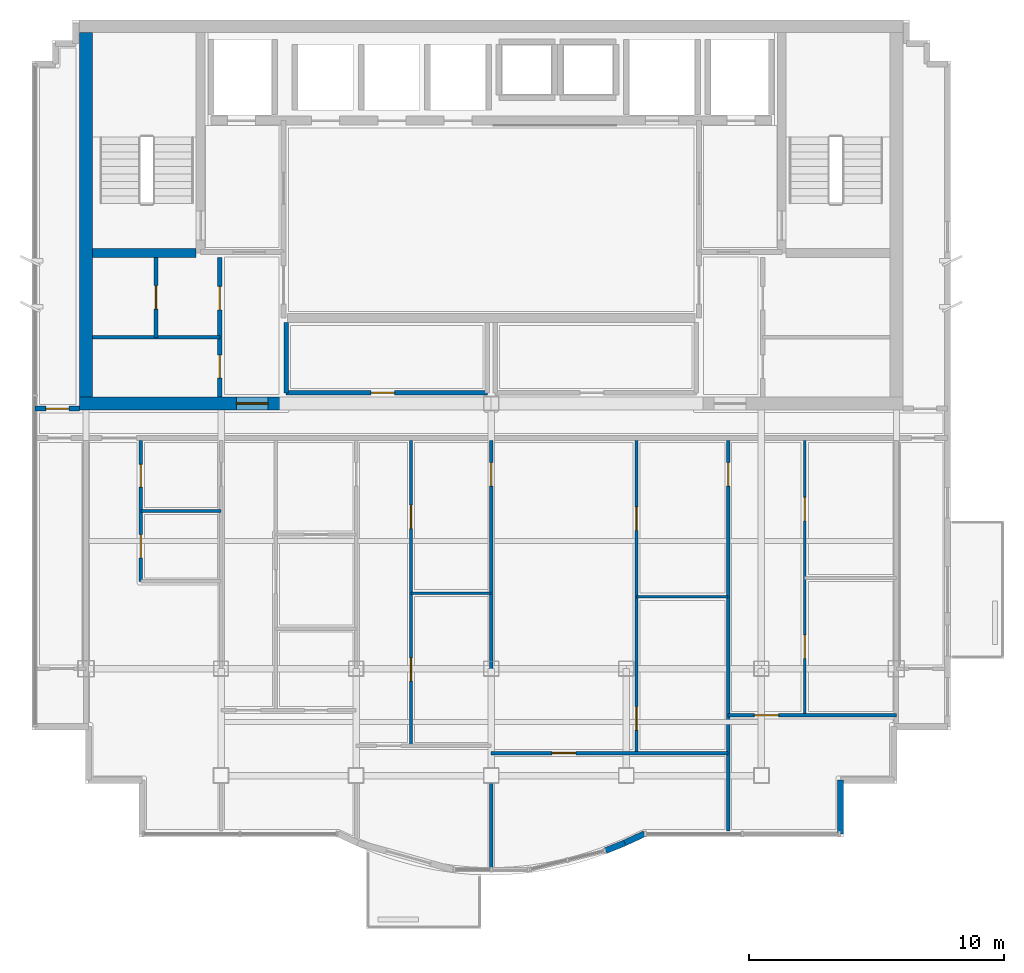
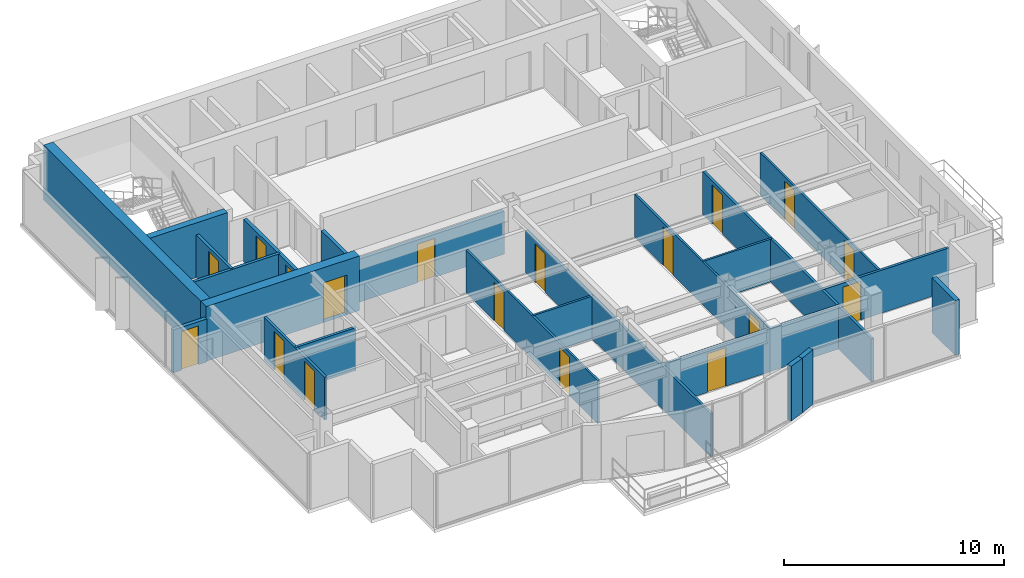
# One storey, part 6 of 11: 23 walls, 18 doors, 18 openings.
"""IFC4 building model written with IfcOpenShell, lengths in metres."""

from ifc_helpers import new_model, si_unit, direction, frame, frame_2d, origin, place, context, subcontext, project, spatial, rectangle, extrude, material, layer, layer_set, type_object, element, fill, save


model = new_model("IFC4")

# Units and contexts
model_context = context("Model", 3, precision=1e-05, world=origin(), true_north=direction((0.0, 1.0)))
body_context = subcontext(model_context, "Body", "Model", "MODEL_VIEW")
ifc_project = project(units=[si_unit("LENGTHUNIT", "METRE"), si_unit("AREAUNIT", "SQUARE_METRE"), si_unit("VOLUMEUNIT", "CUBIC_METRE"), si_unit("PLANEANGLEUNIT", "RADIAN"), si_unit("MASSUNIT", "GRAM", prefix="KILO")], contexts=[model_context])

# Site, building, storey
site_placement = place(None, origin())
site = spatial("IfcSite", under=ifc_project, at=site_placement, CompositionType="ELEMENT")
building_placement = place(site_placement, origin())
building = spatial("IfcBuilding", under=site, at=building_placement, Name="Qianlan Lanfeng Residences", CompositionType="ELEMENT")
storey_placement = place(building_placement, frame((0.0, 0.0, 262.699951171875)))
storey = spatial("IfcBuildingStorey", under=building, at=storey_placement, Name="L73", CompositionType="ELEMENT", Elevation=262.699951171875)

# Walls
ifc_material_1 = material(Name="Concrete C49", Category="concrete")
ifc_layer_1 = layer(ifc_material_1, 0.35009765625)
ifc_layer_set_1 = layer_set([ifc_layer_1], Name="Concrete C49")
wall_type_1 = type_object("IfcWallType", Name="CW-RC-350", PredefinedType="SHEAR", material=ifc_layer_set_1)
wall_1_placement = place(storey_placement, frame((10.85009765625, 31.10009765625, 0.0), z_axis=(0.0, 0.0, 1.0), x_axis=(1.0, 0.0, 0.0)))
element("IfcWall", 1, at=wall_1_placement, inside=storey, type_object=wall_type_1, Name="L73 Core Shear Wall ST1S", PredefinedType="SHEAR", context=body_context, shape_type="SweptSolid", body=[
    extrude(rectangle(XDim=4.074951171875, YDim=0.35009765625, at=frame_2d((2.03759765625, 0.0))), origin(), (0.0, 0.0, 1.0), 3.0400390625),
])
ifc_material_2 = material(Name="Concrete C70", Category="concrete")
ifc_layer_2 = layer(ifc_material_2, 0.5)
ifc_layer_set_2 = layer_set([ifc_layer_2], Name="Concrete C70")
wall_type_2 = type_object("IfcWallType", Name="CW-RC-500", PredefinedType="SHEAR", material=ifc_layer_set_2)
wall_2_placement = place(storey_placement, frame((10.60009765625, 25.449951171875, 0.0), z_axis=(0.0, 0.0, 1.0), x_axis=(0.0, 1.0, 0.0)))
element("IfcWall", 2, at=wall_2_placement, inside=storey, type_object=wall_type_2, Name="L73 Core Shear Wall W", PredefinedType="SHEAR", context=body_context, shape_type="SweptSolid", body=[
    extrude(rectangle(XDim=14.300048828125, YDim=0.5, at=frame_2d((7.14990234375, 0.0))), origin(), (0.0, 0.0, 1.0), 3.0400390625),
])

# Wall, opening, door
wall_3_placement = place(storey_placement, frame((10.35009765625, 25.199951171875, 0.0), z_axis=(0.0, 0.0, 1.0), x_axis=(1.0, 0.0, 0.0)))
wall_3 = element("IfcWall", 3, at=wall_3_placement, inside=storey, type_object=wall_type_2, Name="L73 Core Shear Wall SW", PredefinedType="SHEAR", context=body_context, shape_type="SweptSolid", body=[
    extrude(rectangle(XDim=8.0498046875, YDim=0.5, at=frame_2d((4.02490234375, 0.0))), origin(), (0.0, 0.0, 1.0), 3.0400390625),
])
opening_1_placement = place(wall_3_placement, frame((6.14990234375, 0.0, 0.0)))
opening_1 = element("IfcOpeningElement", 4, at=opening_1_placement, cuts=wall_3, Name="Opening L73-D01", PredefinedType="OPENING", context=body_context, shape_type="SweptSolid", body=[
    extrude(rectangle(XDim=1.25, YDim=2.199951171875, at=frame_2d((0.625, 1.10009765625))), frame((0.0, 0.260009765625, 0.0), z_axis=(0.0, -1.0, 0.0), x_axis=(1.0, 0.0, 0.0)), (0.0, 0.0, 1.0), 0.52001953125),
])
ifc_material_3 = material(Name="Painted Galvanised Steel Fire Door", Category="steel")
door_type_1 = type_object("IfcDoorType", Name="DT-FFL", OperationType="NOTDEFINED", PredefinedType="DOOR", material=ifc_material_3)
door_1_placement = place(opening_1_placement, frame((1.25, 0.0, 0.0), z_axis=(0.0, 0.0, 1.0), x_axis=(-1.0, 0.0, 0.0)))
door_1 = element("IfcDoor", 5, at=door_1_placement, inside=storey, type_object=door_type_1, Name="L73 West Core Lobby Smoke Door L73-D01 (DT-FFL)", OperationType="SINGLE_SWING_RIGHT", OverallHeight=2.199951171875, OverallWidth=1.25, PredefinedType="DOOR", context=body_context, shape_type="SweptSolid", body=[
    extrude(rectangle(XDim=1.25, YDim=2.199951171875, at=frame_2d((0.625, 1.10009765625))), frame((0.0, 0.02490234375, 0.0), z_axis=(0.0, -1.0, 0.0), x_axis=(1.0, 0.0, 0.0)), (0.0, 0.0, 1.0), 0.050048828125),
])
fill(opening_1, door_1)

# Walls
ifc_material_4 = material(Name="Concrete C42", Category="concrete")
ifc_layer_3 = layer(ifc_material_4, 0.239990234375)
ifc_layer_set_3 = layer_set([ifc_layer_3], Name="Concrete C42")
wall_type_3 = type_object("IfcWallType", Name="EW-240", PredefinedType="SOLIDWALL", material=ifc_layer_set_3)
wall_4_placement = place(storey_placement, frame((30.988037109375, 7.656982421875, 0.0), z_axis=(0.0, 0.0, 1.0), x_axis=(0.927870589467, 0.372902358805, 0.0)))
element("IfcWall", 6, at=wall_4_placement, inside=storey, type_object=wall_type_3, Name="L73 Exterior Facade Spandrel Wall 7", PredefinedType="SOLIDWALL", context=body_context, shape_type="SweptSolid", body=[
    extrude(rectangle(XDim=0.80712890625, YDim=0.239990234375, at=frame_2d((0.403564453125, 0.0))), origin(), (0.0, 0.0, 1.0), 3.0400390625),
])
wall_5_placement = place(storey_placement, frame((31.737060546875, 7.9580078125, 0.0), z_axis=(0.0, 0.0, 1.0), x_axis=(0.906190424584, 0.422869855147, 0.0)))
element("IfcWall", 7, at=wall_5_placement, inside=storey, type_object=wall_type_3, Name="L73 Exterior Facade Spandrel Wall 8", PredefinedType="SOLIDWALL", context=body_context, shape_type="SweptSolid", body=[
    extrude(rectangle(XDim=0.856201171875, YDim=0.239990234375, at=frame_2d((0.42822265625, 0.0))), origin(), (0.0, 0.0, 1.0), 3.0400390625),
])
wall_6_placement = place(storey_placement, frame((40.199951171875, 8.320068359375, 0.0), z_axis=(0.0, 0.0, 1.0), x_axis=(0.0, 1.0, 0.0)))
element("IfcWall", 8, at=wall_6_placement, inside=storey, type_object=wall_type_3, Name="L73 Exterior Facade Spandrel Wall 9", PredefinedType="SOLIDWALL", context=body_context, shape_type="SweptSolid", body=[
    extrude(rectangle(XDim=2.099853515625, YDim=0.239990234375, at=frame_2d((1.0498046875, 0.0))), origin(), (0.0, 0.0, 1.0), 3.0400390625),
])

# Wall, openings, doors
ifc_material_5 = material(Name="Demountable Acoustic Framing Partition 110 mm")
ifc_layer_4 = layer(ifc_material_5, 0.110107421875)
ifc_layer_set_4 = layer_set([ifc_layer_4], Name="Demountable Acoustic Framing Partition 110 mm")
wall_type_4 = type_object("IfcWallType", Name="PW-110", PredefinedType="MOVABLE", material=ifc_layer_set_4)
wall_7_placement = place(storey_placement, frame((23.35009765625, 11.77001953125, 0.0), z_axis=(0.0, 0.0, 1.0), x_axis=(0.0, 1.0, 0.0)))
wall_7 = element("IfcWall", 9, at=wall_7_placement, inside=storey, type_object=wall_type_4, Name="L73 U01 Bedroom 2 Hall Wall", PredefinedType="MOVABLE", context=body_context, shape_type="SweptSolid", body=[
    extrude(rectangle(XDim=11.97998046875, YDim=0.110107421875, at=frame_2d((5.989990234375, 0.0))), origin(), (0.0, 0.0, 1.0), 2.380126953125),
])
opening_2_placement = place(wall_7_placement, frame((2.534912109375, 0.0, 0.0)))
opening_2 = element("IfcOpeningElement", 10, at=opening_2_placement, cuts=wall_7, Name="Opening L73-D30", PredefinedType="OPENING", context=body_context, shape_type="SweptSolid", body=[
    extrude(rectangle(XDim=0.919921875, YDim=2.14990234375, at=frame_2d((0.4599609375, 1.074951171875))), frame((0.0, 0.06494140625, 0.0), z_axis=(0.0, -1.0, 0.0), x_axis=(1.0, 0.0, 0.0)), (0.0, 0.0, 1.0), 0.130126953125),
])
opening_3_placement = place(wall_7_placement, frame((8.52490234375, 0.0, 0.0)))
opening_3 = element("IfcOpeningElement", 11, at=opening_3_placement, cuts=wall_7, Name="Opening L73-D31", PredefinedType="OPENING", context=body_context, shape_type="SweptSolid", body=[
    extrude(rectangle(XDim=0.919921875, YDim=2.14990234375, at=frame_2d((0.4599609375, 1.074951171875))), frame((0.0, 0.06494140625, 0.0), z_axis=(0.0, -1.0, 0.0), x_axis=(1.0, 0.0, 0.0)), (0.0, 0.0, 1.0), 0.130126953125),
])
ifc_material_6 = material(Name="Glazed Timber Kitchen/Study Door", Category="wood")
door_type_2 = type_object("IfcDoorType", Name="DT-INT", OperationType="NOTDEFINED", PredefinedType="DOOR", material=ifc_material_6)
door_2_placement = place(opening_2_placement, origin())
door_2 = element("IfcDoor", 12, at=door_2_placement, inside=storey, type_object=door_type_2, Name="L73 U01 Utility Door L73-D30 (DT-INT)", OperationType="SINGLE_SWING_RIGHT", OverallHeight=2.14990234375, OverallWidth=0.919921875, PredefinedType="DOOR", context=body_context, shape_type="SweptSolid", body=[
    extrude(rectangle(XDim=0.919921875, YDim=2.14990234375, at=frame_2d((0.4599609375, 1.074951171875))), frame((0.0, 0.02490234375, 0.0), z_axis=(0.0, -1.0, 0.0), x_axis=(1.0, 0.0, 0.0)), (0.0, 0.0, 1.0), 0.050048828125),
])
fill(opening_2, door_2)
door_3_placement = place(opening_3_placement, origin())
door_3 = element("IfcDoor", 13, at=door_3_placement, inside=storey, type_object=door_type_2, Name="L73 U01 Specialty Door L73-D31 (DT-INT)", OperationType="SINGLE_SWING_LEFT", OverallHeight=2.14990234375, OverallWidth=0.919921875, PredefinedType="DOOR", context=body_context, shape_type="SweptSolid", body=[
    extrude(rectangle(XDim=0.919921875, YDim=2.14990234375, at=frame_2d((0.4599609375, 1.074951171875))), frame((0.0, 0.02490234375, 0.0), z_axis=(0.0, -1.0, 0.0), x_axis=(1.0, 0.0, 0.0)), (0.0, 0.0, 1.0), 0.050048828125),
])
fill(opening_3, door_3)

# Wall
wall_8_placement = place(storey_placement, frame((23.35009765625, 17.760009765625, 0.0), z_axis=(0.0, 0.0, 1.0), x_axis=(1.0, 0.0, 0.0)))
element("IfcWall", 14, at=wall_8_placement, inside=storey, type_object=wall_type_4, Name="L73 U01 Specialty Split Wall", PredefinedType="MOVABLE", context=body_context, shape_type="SweptSolid", body=[
    extrude(rectangle(XDim=3.14990234375, YDim=0.110107421875, at=frame_2d((1.574951171875, 0.0))), origin(), (0.0, 0.0, 1.0), 2.380126953125),
])

# Wall, openings, doors
wall_9_placement = place(storey_placement, frame((32.199951171875, 11.485107421875, 0.0), z_axis=(0.0, 0.0, 1.0), x_axis=(0.0, 1.0, 0.0)))
wall_9 = element("IfcWall", 15, at=wall_9_placement, inside=storey, type_object=wall_type_4, Name="L73 U01 Bedroom 3 Hall Wall", PredefinedType="MOVABLE", context=body_context, shape_type="SweptSolid", body=[
    extrude(rectangle(XDim=12.264892578125, YDim=0.110107421875, at=frame_2d((6.13232421875, 0.0))), origin(), (0.0, 0.0, 1.0), 2.380126953125),
])
opening_4_placement = place(wall_9_placement, frame((0.906005859375, 0.0, 0.0)))
opening_4 = element("IfcOpeningElement", 16, at=opening_4_placement, cuts=wall_9, Name="Opening L73-D33", PredefinedType="OPENING", context=body_context, shape_type="SweptSolid", body=[
    extrude(rectangle(XDim=0.919921875, YDim=2.14990234375, at=frame_2d((0.4599609375, 1.074951171875))), frame((0.0, 0.06494140625, 0.0), z_axis=(0.0, -1.0, 0.0), x_axis=(1.0, 0.0, 0.0)), (0.0, 0.0, 1.0), 0.130126953125),
])
opening_5_placement = place(wall_9_placement, frame((8.739013671875, 0.0, 0.0)))
opening_5 = element("IfcOpeningElement", 17, at=opening_5_placement, cuts=wall_9, Name="Opening L73-D34", PredefinedType="OPENING", context=body_context, shape_type="SweptSolid", body=[
    extrude(rectangle(XDim=0.919921875, YDim=2.14990234375, at=frame_2d((0.4599609375, 1.074951171875))), frame((0.0, 0.06494140625, 0.0), z_axis=(0.0, -1.0, 0.0), x_axis=(1.0, 0.0, 0.0)), (0.0, 0.0, 1.0), 0.130126953125),
])
door_4_placement = place(opening_4_placement, origin())
door_4 = element("IfcDoor", 18, at=door_4_placement, inside=storey, type_object=door_type_2, Name="L73 U01 Utility Door L73-D33 (DT-INT)", OperationType="SINGLE_SWING_LEFT", OverallHeight=2.14990234375, OverallWidth=0.919921875, PredefinedType="DOOR", context=body_context, shape_type="SweptSolid", body=[
    extrude(rectangle(XDim=0.919921875, YDim=2.14990234375, at=frame_2d((0.4599609375, 1.074951171875))), frame((0.0, 0.02490234375, 0.0), z_axis=(0.0, -1.0, 0.0), x_axis=(1.0, 0.0, 0.0)), (0.0, 0.0, 1.0), 0.050048828125),
])
fill(opening_4, door_4)
door_5_placement = place(opening_5_placement, origin())
door_5 = element("IfcDoor", 19, at=door_5_placement, inside=storey, type_object=door_type_2, Name="L73 U01 Specialty Door L73-D34 (DT-INT)", OperationType="SINGLE_SWING_RIGHT", OverallHeight=2.14990234375, OverallWidth=0.919921875, PredefinedType="DOOR", context=body_context, shape_type="SweptSolid", body=[
    extrude(rectangle(XDim=0.919921875, YDim=2.14990234375, at=frame_2d((0.4599609375, 1.074951171875))), frame((0.0, 0.02490234375, 0.0), z_axis=(0.0, -1.0, 0.0), x_axis=(1.0, 0.0, 0.0)), (0.0, 0.0, 1.0), 0.050048828125),
])
fill(opening_5, door_5)

# Wall
wall_10_placement = place(storey_placement, frame((32.199951171875, 17.616943359375, 0.0), z_axis=(0.0, 0.0, 1.0), x_axis=(1.0, 0.0, 0.0)))
element("IfcWall", 20, at=wall_10_placement, inside=storey, type_object=wall_type_4, Name="L73 U01 Specialty Split Wall", PredefinedType="MOVABLE", context=body_context, shape_type="SweptSolid", body=[
    extrude(rectangle(XDim=3.60009765625, YDim=0.110107421875, at=frame_2d((1.800048828125, 0.0))), origin(), (0.0, 0.0, 1.0), 2.380126953125),
])

# Wall, openings, doors
wall_11_placement = place(storey_placement, frame((38.800048828125, 12.969970703125, 0.0), z_axis=(0.0, 0.0, 1.0), x_axis=(0.0, 1.0, 0.0)))
wall_11 = element("IfcWall", 21, at=wall_11_placement, inside=storey, type_object=wall_type_4, Name="L73 U01 Bedroom 4 Hall Wall", PredefinedType="MOVABLE", context=body_context, shape_type="SweptSolid", body=[
    extrude(rectangle(XDim=10.780029296875, YDim=0.110107421875, at=frame_2d((5.39013671875, 0.0))), origin(), (0.0, 0.0, 1.0), 2.380126953125),
])
opening_6_placement = place(wall_11_placement, frame((2.235107421875, 0.0, 0.0)))
opening_6 = element("IfcOpeningElement", 22, at=opening_6_placement, cuts=wall_11, Name="Opening L73-D36", PredefinedType="OPENING", context=body_context, shape_type="SweptSolid", body=[
    extrude(rectangle(XDim=0.919921875, YDim=2.14990234375, at=frame_2d((0.4599609375, 1.074951171875))), frame((0.0, 0.06494140625, 0.0), z_axis=(0.0, -1.0, 0.0), x_axis=(1.0, 0.0, 0.0)), (0.0, 0.0, 1.0), 0.130126953125),
])
opening_7_placement = place(wall_11_placement, frame((7.625, 0.0, 0.0)))
opening_7 = element("IfcOpeningElement", 23, at=opening_7_placement, cuts=wall_11, Name="Opening L73-D37", PredefinedType="OPENING", context=body_context, shape_type="SweptSolid", body=[
    extrude(rectangle(XDim=0.919921875, YDim=2.14990234375, at=frame_2d((0.4599609375, 1.074951171875))), frame((0.0, 0.06494140625, 0.0), z_axis=(0.0, -1.0, 0.0), x_axis=(1.0, 0.0, 0.0)), (0.0, 0.0, 1.0), 0.130126953125),
])
door_6_placement = place(opening_6_placement, origin())
door_6 = element("IfcDoor", 24, at=door_6_placement, inside=storey, type_object=door_type_2, Name="L73 U01 Utility Door L73-D36 (DT-INT)", OperationType="SINGLE_SWING_RIGHT", OverallHeight=2.14990234375, OverallWidth=0.919921875, PredefinedType="DOOR", context=body_context, shape_type="SweptSolid", body=[
    extrude(rectangle(XDim=0.919921875, YDim=2.14990234375, at=frame_2d((0.4599609375, 1.074951171875))), frame((0.0, 0.02490234375, 0.0), z_axis=(0.0, -1.0, 0.0), x_axis=(1.0, 0.0, 0.0)), (0.0, 0.0, 1.0), 0.050048828125),
])
fill(opening_6, door_6)
door_7_placement = place(opening_7_placement, origin())
door_7 = element("IfcDoor", 25, at=door_7_placement, inside=storey, type_object=door_type_2, Name="L73 U01 Specialty Door L73-D37 (DT-INT)", OperationType="SINGLE_SWING_LEFT", OverallHeight=2.14990234375, OverallWidth=0.919921875, PredefinedType="DOOR", context=body_context, shape_type="SweptSolid", body=[
    extrude(rectangle(XDim=0.919921875, YDim=2.14990234375, at=frame_2d((0.4599609375, 1.074951171875))), frame((0.0, 0.02490234375, 0.0), z_axis=(0.0, -1.0, 0.0), x_axis=(1.0, 0.0, 0.0)), (0.0, 0.0, 1.0), 0.050048828125),
])
fill(opening_7, door_7)

# Wall, opening, door
ifc_material_7 = material(Name="Moisture-Resistant Gypsum Partition 135 mm")
ifc_layer_5 = layer(ifc_material_7, 0.135009765625)
ifc_layer_set_5 = layer_set([ifc_layer_5], Name="Moisture-Resistant Gypsum Partition 135 mm")
wall_type_5 = type_object("IfcWallType", Name="PW-135", PredefinedType="PARTITIONING", material=ifc_layer_set_5)
wall_12_placement = place(storey_placement, frame((26.5, 6.919921875, 0.0), z_axis=(0.0, 0.0, 1.0), x_axis=(0.0, 1.0, 0.0)))
wall_12 = element("IfcWall", 26, at=wall_12_placement, inside=storey, type_object=wall_type_5, Name="L73 U01 Bay Spine Wall 3", PredefinedType="PARTITIONING", context=body_context, shape_type="SweptSolid", body=[
    extrude(rectangle(XDim=16.830078125, YDim=0.135009765625, at=frame_2d((8.4150390625, 0.0))), origin(), (0.0, 0.0, 1.0), 2.380126953125),
])
opening_8_placement = place(wall_12_placement, frame((15.044921875, 0.0, 0.0)))
opening_8 = element("IfcOpeningElement", 27, at=opening_8_placement, cuts=wall_12, Name="Opening L73-D21", PredefinedType="OPENING", context=body_context, shape_type="SweptSolid", body=[
    extrude(rectangle(XDim=0.919921875, YDim=2.14990234375, at=frame_2d((0.4599609375, 1.074951171875))), frame((0.0, 0.07763671875, 0.0), z_axis=(0.0, -1.0, 0.0), x_axis=(1.0, 0.0, 0.0)), (0.0, 0.0, 1.0), 0.155029296875),
])
door_8_placement = place(opening_8_placement, origin())
door_8 = element("IfcDoor", 28, at=door_8_placement, inside=storey, type_object=door_type_2, Name="L73 U01 Internal Hall Door L73-D21 (DT-INT)", OperationType="SINGLE_SWING_LEFT", OverallHeight=2.14990234375, OverallWidth=0.919921875, PredefinedType="DOOR", context=body_context, shape_type="SweptSolid", body=[
    extrude(rectangle(XDim=0.919921875, YDim=2.14990234375, at=frame_2d((0.4599609375, 1.074951171875))), frame((0.0, 0.02490234375, 0.0), z_axis=(0.0, -1.0, 0.0), x_axis=(1.0, 0.0, 0.0)), (0.0, 0.0, 1.0), 0.050048828125),
])
fill(opening_8, door_8)

wall_13_placement = place(storey_placement, frame((35.800048828125, 8.419921875, 0.0), z_axis=(0.0, 0.0, 1.0), x_axis=(0.0, 1.0, 0.0)))
wall_13 = element("IfcWall", 29, at=wall_13_placement, inside=storey, type_object=wall_type_5, Name="L73 U01 Bay Spine Wall 4", PredefinedType="PARTITIONING", context=body_context, shape_type="SweptSolid", body=[
    extrude(rectangle(XDim=15.330078125, YDim=0.135009765625, at=frame_2d((7.6650390625, 0.0))), origin(), (0.0, 0.0, 1.0), 2.380126953125),
])
opening_9_placement = place(wall_13_placement, frame((13.544921875, 0.0, 0.0)))
opening_9 = element("IfcOpeningElement", 30, at=opening_9_placement, cuts=wall_13, Name="Opening L73-D22", PredefinedType="OPENING", context=body_context, shape_type="SweptSolid", body=[
    extrude(rectangle(XDim=0.919921875, YDim=2.14990234375, at=frame_2d((0.4599609375, 1.074951171875))), frame((0.0, 0.07763671875, 0.0), z_axis=(0.0, -1.0, 0.0), x_axis=(1.0, 0.0, 0.0)), (0.0, 0.0, 1.0), 0.155029296875),
])
door_9_placement = place(opening_9_placement, origin())
door_9 = element("IfcDoor", 31, at=door_9_placement, inside=storey, type_object=door_type_2, Name="L73 U01 Internal Hall Door L73-D22 (DT-INT)", OperationType="SINGLE_SWING_RIGHT", OverallHeight=2.14990234375, OverallWidth=0.919921875, PredefinedType="DOOR", context=body_context, shape_type="SweptSolid", body=[
    extrude(rectangle(XDim=0.919921875, YDim=2.14990234375, at=frame_2d((0.4599609375, 1.074951171875))), frame((0.0, 0.02490234375, 0.0), z_axis=(0.0, -1.0, 0.0), x_axis=(1.0, 0.0, 0.0)), (0.0, 0.0, 1.0), 0.050048828125),
])
fill(opening_9, door_9)

# Wall, openings, doors
wall_14_placement = place(storey_placement, frame((12.75, 18.219970703125, 0.0), z_axis=(0.0, 0.0, 1.0), x_axis=(0.0, 1.0, 0.0)))
wall_14 = element("IfcWall", 32, at=wall_14_placement, inside=storey, type_object=wall_type_5, Name="L73 U01 Wet Stack Spine", PredefinedType="PARTITIONING", context=body_context, shape_type="SweptSolid", body=[
    extrude(rectangle(XDim=5.530029296875, YDim=0.135009765625, at=frame_2d((2.76513671875, 0.0))), origin(), (0.0, 0.0, 1.0), 2.380126953125),
])
opening_10_placement = place(wall_14_placement, frame((0.922119140625, 0.0, 0.0)))
opening_10 = element("IfcOpeningElement", 33, at=opening_10_placement, cuts=wall_14, Name="Opening L73-D23", PredefinedType="OPENING", context=body_context, shape_type="SweptSolid", body=[
    extrude(rectangle(XDim=0.919921875, YDim=2.14990234375, at=frame_2d((0.4599609375, 1.074951171875))), frame((0.0, 0.07763671875, 0.0), z_axis=(0.0, -1.0, 0.0), x_axis=(1.0, 0.0, 0.0)), (0.0, 0.0, 1.0), 0.155029296875),
])
opening_11_placement = place(wall_14_placement, frame((3.697021484375, 0.0, 0.0)))
opening_11 = element("IfcOpeningElement", 34, at=opening_11_placement, cuts=wall_14, Name="Opening L73-D24", PredefinedType="OPENING", context=body_context, shape_type="SweptSolid", body=[
    extrude(rectangle(XDim=0.89990234375, YDim=2.14990234375, at=frame_2d((0.449951171875, 1.074951171875))), frame((0.0, 0.07763671875, 0.0), z_axis=(0.0, -1.0, 0.0), x_axis=(1.0, 0.0, 0.0)), (0.0, 0.0, 1.0), 0.155029296875),
])
door_10_placement = place(opening_10_placement, origin())
door_10 = element("IfcDoor", 35, at=door_10_placement, inside=storey, type_object=door_type_2, Name="L73 U01 Kitchen Door L73-D23 (DT-INT)", OperationType="SINGLE_SWING_LEFT", OverallHeight=2.14990234375, OverallWidth=0.919921875, PredefinedType="DOOR", context=body_context, shape_type="SweptSolid", body=[
    extrude(rectangle(XDim=0.919921875, YDim=2.14990234375, at=frame_2d((0.4599609375, 1.074951171875))), frame((0.0, 0.02490234375, 0.0), z_axis=(0.0, -1.0, 0.0), x_axis=(1.0, 0.0, 0.0)), (0.0, 0.0, 1.0), 0.050048828125),
])
fill(opening_10, door_10)
ifc_material_8 = material(Name="Moisture-Resistant Timber Leaf", Category="wood")
door_type_3 = type_object("IfcDoorType", Name="DT-WC", OperationType="NOTDEFINED", PredefinedType="DOOR", material=ifc_material_8)
door_11_placement = place(opening_11_placement, origin())
door_11 = element("IfcDoor", 36, at=door_11_placement, inside=storey, type_object=door_type_3, Name="L73 U01 Bathroom Door L73-D24 (DT-WC)", OperationType="SINGLE_SWING_RIGHT", OverallHeight=2.14990234375, OverallWidth=0.89990234375, PredefinedType="DOOR", context=body_context, shape_type="SweptSolid", body=[
    extrude(rectangle(XDim=0.89990234375, YDim=2.14990234375, at=frame_2d((0.449951171875, 1.074951171875))), frame((0.0, 0.02490234375, 0.0), z_axis=(0.0, -1.0, 0.0), x_axis=(1.0, 0.0, 0.0)), (0.0, 0.0, 1.0), 0.050048828125),
])
fill(opening_11, door_11)

# Wall
wall_15_placement = place(storey_placement, frame((12.75, 20.985107421875, 0.0), z_axis=(0.0, 0.0, 1.0), x_axis=(1.0, 0.0, 0.0)))
element("IfcWall", 37, at=wall_15_placement, inside=storey, type_object=wall_type_5, Name="L73 U01 Bathroom South Wall", PredefinedType="PARTITIONING", context=body_context, shape_type="SweptSolid", body=[
    extrude(rectangle(XDim=3.14990234375, YDim=0.135009765625, at=frame_2d((1.574951171875, 0.0))), origin(), (0.0, 0.0, 1.0), 2.380126953125),
])

# Wall, opening, door
wall_16_placement = place(storey_placement, frame((26.5, 11.485107421875, 0.0), z_axis=(0.0, 0.0, 1.0), x_axis=(1.0, 0.0, 0.0)))
wall_16 = element("IfcWall", 38, at=wall_16_placement, inside=storey, type_object=wall_type_5, Name="L73 U01 Bedroom 3 North Wall", PredefinedType="PARTITIONING", context=body_context, shape_type="SweptSolid", body=[
    extrude(rectangle(XDim=9.300048828125, YDim=0.135009765625, at=frame_2d((4.64990234375, 0.0))), origin(), (0.0, 0.0, 1.0), 2.380126953125),
])
opening_12_placement = place(wall_16_placement, frame((2.375, 0.0, 0.0)))
opening_12 = element("IfcOpeningElement", 39, at=opening_12_placement, cuts=wall_16, Name="Opening L73-D32", PredefinedType="OPENING", context=body_context, shape_type="SweptSolid", body=[
    extrude(rectangle(XDim=0.949951171875, YDim=2.14990234375, at=frame_2d((0.47509765625, 1.074951171875))), frame((0.0, 0.07763671875, 0.0), z_axis=(0.0, -1.0, 0.0), x_axis=(1.0, 0.0, 0.0)), (0.0, 0.0, 1.0), 0.155029296875),
])
ifc_material_9 = material(Name="Painted Solid-Core Timber Leaf", Category="wood")
door_type_4 = type_object("IfcDoorType", Name="DT-BED", OperationType="NOTDEFINED", PredefinedType="DOOR", material=ifc_material_9)
door_12_placement = place(opening_12_placement, origin())
door_12 = element("IfcDoor", 40, at=door_12_placement, inside=storey, type_object=door_type_4, Name="L73 U01 Bedroom 3 Door L73-D32 (DT-BED)", OperationType="SINGLE_SWING_RIGHT", OverallHeight=2.14990234375, OverallWidth=0.949951171875, PredefinedType="DOOR", context=body_context, shape_type="SweptSolid", body=[
    extrude(rectangle(XDim=0.949951171875, YDim=2.14990234375, at=frame_2d((0.47509765625, 1.074951171875))), frame((0.0, 0.02490234375, 0.0), z_axis=(0.0, -1.0, 0.0), x_axis=(1.0, 0.0, 0.0)), (0.0, 0.0, 1.0), 0.050048828125),
])
fill(opening_12, door_12)

wall_17_placement = place(storey_placement, frame((35.800048828125, 12.969970703125, 0.0), z_axis=(0.0, 0.0, 1.0), x_axis=(1.0, 0.0, 0.0)))
wall_17 = element("IfcWall", 41, at=wall_17_placement, inside=storey, type_object=wall_type_5, Name="L73 U01 Bedroom 4 North Wall", PredefinedType="PARTITIONING", context=body_context, shape_type="SweptSolid", body=[
    extrude(rectangle(XDim=6.599853515625, YDim=0.135009765625, at=frame_2d((3.2998046875, 0.0))), origin(), (0.0, 0.0, 1.0), 2.380126953125),
])
opening_13_placement = place(wall_17_placement, frame((1.02490234375, 0.0, 0.0)))
opening_13 = element("IfcOpeningElement", 42, at=opening_13_placement, cuts=wall_17, Name="Opening L73-D35", PredefinedType="OPENING", context=body_context, shape_type="SweptSolid", body=[
    extrude(rectangle(XDim=0.949951171875, YDim=2.14990234375, at=frame_2d((0.47509765625, 1.074951171875))), frame((0.0, 0.07763671875, 0.0), z_axis=(0.0, -1.0, 0.0), x_axis=(1.0, 0.0, 0.0)), (0.0, 0.0, 1.0), 0.155029296875),
])
door_13_placement = place(opening_13_placement, origin())
door_13 = element("IfcDoor", 43, at=door_13_placement, inside=storey, type_object=door_type_4, Name="L73 U01 Bedroom 4 Door L73-D35 (DT-BED)", OperationType="SINGLE_SWING_LEFT", OverallHeight=2.14990234375, OverallWidth=0.949951171875, PredefinedType="DOOR", context=body_context, shape_type="SweptSolid", body=[
    extrude(rectangle(XDim=0.949951171875, YDim=2.14990234375, at=frame_2d((0.47509765625, 1.074951171875))), frame((0.0, 0.02490234375, 0.0), z_axis=(0.0, -1.0, 0.0), x_axis=(1.0, 0.0, 0.0)), (0.0, 0.0, 1.0), 0.050048828125),
])
fill(opening_13, door_13)

# Wall
ifc_material_10 = material(Name="Acoustic Drywall Partition 150 mm")
ifc_layer_6 = layer(ifc_material_10, 0.14990234375)
ifc_layer_set_6 = layer_set([ifc_layer_6], Name="Acoustic Drywall Partition 150 mm")
wall_type_6 = type_object("IfcWallType", Name="PW-150", PredefinedType="PARTITIONING", material=ifc_layer_set_6)
wall_18_placement = place(storey_placement, frame((10.85009765625, 27.800048828125, 0.0), z_axis=(0.0, 0.0, 1.0), x_axis=(1.0, 0.0, 0.0)))
element("IfcWall", 44, at=wall_18_placement, inside=storey, type_object=wall_type_6, Name="L73 Core West H4", PredefinedType="PARTITIONING", context=body_context, shape_type="SweptSolid", body=[
    extrude(rectangle(XDim=5.0, YDim=0.14990234375, at=frame_2d((2.5, 0.0))), origin(), (0.0, 0.0, 1.0), 2.380126953125),
])

# Wall, opening, door
wall_19_placement = place(storey_placement, frame((13.35009765625, 27.800048828125, 0.0), z_axis=(0.0, 0.0, 1.0), x_axis=(0.0, 1.0, 0.0)))
wall_19 = element("IfcWall", 45, at=wall_19_placement, inside=storey, type_object=wall_type_6, Name="L73 Core West V4", PredefinedType="PARTITIONING", context=body_context, shape_type="SweptSolid", body=[
    extrude(rectangle(XDim=3.125, YDim=0.14990234375, at=frame_2d((1.5625, 0.0))), origin(), (0.0, 0.0, 1.0), 2.380126953125),
])
opening_14_placement = place(wall_19_placement, frame((1.10302734375, 0.0, 0.0)))
opening_14 = element("IfcOpeningElement", 46, at=opening_14_placement, cuts=wall_19, Name="Opening L73-D11", PredefinedType="OPENING", context=body_context, shape_type="SweptSolid", body=[
    extrude(rectangle(XDim=0.919921875, YDim=2.14990234375, at=frame_2d((0.4599609375, 1.074951171875))), frame((0.0, 0.0849609375, 0.0), z_axis=(0.0, -1.0, 0.0), x_axis=(1.0, 0.0, 0.0)), (0.0, 0.0, 1.0), 0.169921875),
])
door_14_placement = place(opening_14_placement, origin())
door_14 = element("IfcDoor", 47, at=door_14_placement, inside=storey, type_object=door_type_2, Name="L73 Linen Store Door L73-D11 (DT-INT)", OperationType="SINGLE_SWING_LEFT", OverallHeight=2.14990234375, OverallWidth=0.919921875, PredefinedType="DOOR", context=body_context, shape_type="SweptSolid", body=[
    extrude(rectangle(XDim=0.919921875, YDim=2.14990234375, at=frame_2d((0.4599609375, 1.074951171875))), frame((0.0, 0.02490234375, 0.0), z_axis=(0.0, -1.0, 0.0), x_axis=(1.0, 0.0, 0.0)), (0.0, 0.0, 1.0), 0.050048828125),
])
fill(opening_14, door_14)

# Wall, openings, doors
ifc_material_11 = material(Name="Double-Layer Acoustic Gypsum Stud Wall 180 mm")
ifc_layer_7 = layer(ifc_material_11, 0.179931640625)
ifc_layer_set_7 = layer_set([ifc_layer_7], Name="Double-Layer Acoustic Gypsum Stud Wall 180 mm")
wall_type_7 = type_object("IfcWallType", Name="PW-180", PredefinedType="PARTITIONING", material=ifc_layer_set_7)
wall_20_placement = place(storey_placement, frame((15.85009765625, 25.449951171875, 0.0), z_axis=(0.0, 0.0, 1.0), x_axis=(0.0, 1.0, 0.0)))
wall_20 = element("IfcWall", 48, at=wall_20_placement, inside=storey, type_object=wall_type_7, Name="L73 Core West Service Room Wall", PredefinedType="PARTITIONING", context=body_context, shape_type="SweptSolid", body=[
    extrude(rectangle(XDim=5.47509765625, YDim=0.179931640625, at=frame_2d((2.737548828125, 0.0))), origin(), (0.0, 0.0, 1.0), 2.380126953125),
])
opening_15_placement = place(wall_20_placement, frame((0.75, 0.0, 0.0)))
opening_15 = element("IfcOpeningElement", 49, at=opening_15_placement, cuts=wall_20, Name="Opening L73-D09", PredefinedType="OPENING", context=body_context, shape_type="SweptSolid", body=[
    extrude(rectangle(XDim=0.89990234375, YDim=2.14990234375, at=frame_2d((0.449951171875, 1.074951171875))), frame((0.0, 0.10009765625, 0.0), z_axis=(0.0, -1.0, 0.0), x_axis=(1.0, 0.0, 0.0)), (0.0, 0.0, 1.0), 0.199951171875),
])
opening_16_placement = place(wall_20_placement, frame((3.427001953125, 0.0, 0.0)))
opening_16 = element("IfcOpeningElement", 50, at=opening_16_placement, cuts=wall_20, Name="Opening L73-D10", PredefinedType="OPENING", context=body_context, shape_type="SweptSolid", body=[
    extrude(rectangle(XDim=0.919921875, YDim=2.14990234375, at=frame_2d((0.4599609375, 1.074951171875))), frame((0.0, 0.10009765625, 0.0), z_axis=(0.0, -1.0, 0.0), x_axis=(1.0, 0.0, 0.0)), (0.0, 0.0, 1.0), 0.199951171875),
])
door_15_placement = place(opening_16_placement, origin())
door_15 = element("IfcDoor", 51, at=door_15_placement, inside=storey, type_object=door_type_2, Name="L73 Janitor Hall Door L73-D10 (DT-INT)", OperationType="SINGLE_SWING_RIGHT", OverallHeight=2.14990234375, OverallWidth=0.919921875, PredefinedType="DOOR", context=body_context, shape_type="SweptSolid", body=[
    extrude(rectangle(XDim=0.919921875, YDim=2.14990234375, at=frame_2d((0.4599609375, 1.074951171875))), frame((0.0, 0.02490234375, 0.0), z_axis=(0.0, -1.0, 0.0), x_axis=(1.0, 0.0, 0.0)), (0.0, 0.0, 1.0), 0.050048828125),
])
fill(opening_16, door_15)
door_16_placement = place(opening_15_placement, origin())
door_16 = element("IfcDoor", 52, at=door_16_placement, inside=storey, type_object=door_type_3, Name="L73 Staff WC Door L73-D09 (DT-WC)", OperationType="SINGLE_SWING_LEFT", OverallHeight=2.14990234375, OverallWidth=0.89990234375, PredefinedType="DOOR", context=body_context, shape_type="SweptSolid", body=[
    extrude(rectangle(XDim=0.89990234375, YDim=2.14990234375, at=frame_2d((0.449951171875, 1.074951171875))), frame((0.0, 0.02490234375, 0.0), z_axis=(0.0, -1.0, 0.0), x_axis=(1.0, 0.0, 0.0)), (0.0, 0.0, 1.0), 0.050048828125),
])
fill(opening_15, door_16)

# Wall
wall_21_placement = place(storey_placement, frame((18.449951171875, 25.6201171875, 0.0), z_axis=(0.0, 0.0, 1.0), x_axis=(0.0, 1.0, 0.0)))
element("IfcWall", 53, at=wall_21_placement, inside=storey, type_object=wall_type_7, Name="L73 Reclaimed Low-Bank Room West Wall", PredefinedType="PARTITIONING", context=body_context, shape_type="SweptSolid", body=[
    extrude(rectangle(XDim=2.7548828125, YDim=0.179931640625, at=frame_2d((1.37744140625, 0.0))), origin(), (0.0, 0.0, 1.0), 2.380126953125),
])

# Wall, opening, door
wall_22_placement = place(storey_placement, frame((18.449951171875, 25.6201171875, 0.0), z_axis=(0.0, 0.0, 1.0), x_axis=(1.0, 0.0, 0.0)))
wall_22 = element("IfcWall", 54, at=wall_22_placement, inside=storey, type_object=wall_type_7, Name="L73 Reclaimed Low-Bank Room South Wall", PredefinedType="PARTITIONING", context=body_context, shape_type="SweptSolid", body=[
    extrude(rectangle(XDim=7.900146484375, YDim=0.179931640625, at=frame_2d((3.9501953125, 0.0))), origin(), (0.0, 0.0, 1.0), 2.380126953125),
])
opening_17_placement = place(wall_22_placement, frame((3.340087890625, 0.0, 0.0)))
opening_17 = element("IfcOpeningElement", 55, at=opening_17_placement, cuts=wall_22, Name="Opening L73-D16", PredefinedType="OPENING", context=body_context, shape_type="SweptSolid", body=[
    extrude(rectangle(XDim=0.919921875, YDim=2.14990234375, at=frame_2d((0.4599609375, 1.074951171875))), frame((0.0, 0.10009765625, 0.0), z_axis=(0.0, -1.0, 0.0), x_axis=(1.0, 0.0, 0.0)), (0.0, 0.0, 1.0), 0.199951171875),
])
door_17_placement = place(opening_17_placement, origin())
door_17 = element("IfcDoor", 56, at=door_17_placement, inside=storey, type_object=door_type_2, Name="L73 Reclaimed Core Salon Door L73-D16 (DT-INT)", OperationType="SINGLE_SWING_RIGHT", OverallHeight=2.14990234375, OverallWidth=0.919921875, PredefinedType="DOOR", context=body_context, shape_type="SweptSolid", body=[
    extrude(rectangle(XDim=0.919921875, YDim=2.14990234375, at=frame_2d((0.4599609375, 1.074951171875))), frame((0.0, 0.02490234375, 0.0), z_axis=(0.0, -1.0, 0.0), x_axis=(1.0, 0.0, 0.0)), (0.0, 0.0, 1.0), 0.050048828125),
])
fill(opening_17, door_17)

ifc_material_12 = material(Name="Autoclaved Aerated Concrete Blockwork 200 mm", Category="masonry")
ifc_layer_8 = layer(ifc_material_12, 0.199951171875)
ifc_layer_set_8 = layer_set([ifc_layer_8], Name="Autoclaved Aerated Concrete Blockwork 200 mm")
wall_type_8 = type_object("IfcWallType", Name="PW-200", PredefinedType="PARTITIONING", material=ifc_layer_set_8)
wall_23_placement = place(storey_placement, frame((8.60009765625, 25.0, 0.0), z_axis=(0.0, 0.0, 1.0), x_axis=(1.0, 0.0, 0.0)))
wall_23 = element("IfcWall", 57, at=wall_23_placement, inside=storey, type_object=wall_type_8, Name="L73 Corridor NW Wall", PredefinedType="PARTITIONING", context=body_context, shape_type="SweptSolid", body=[
    extrude(rectangle(XDim=1.75, YDim=0.199951171875, at=frame_2d((0.875, 0.0))), origin(), (0.0, 0.0, 1.0), 2.380126953125),
])
opening_18_placement = place(wall_23_placement, frame((0.425048828125, 0.0, 0.0)))
opening_18 = element("IfcOpeningElement", 58, at=opening_18_placement, cuts=wall_23, Name="Opening L73-D42", PredefinedType="OPENING", context=body_context, shape_type="SweptSolid", body=[
    extrude(rectangle(XDim=0.89990234375, YDim=2.14990234375, at=frame_2d((0.449951171875, 1.074951171875))), frame((0.0, 0.10986328125, 0.0), z_axis=(0.0, -1.0, 0.0), x_axis=(1.0, 0.0, 0.0)), (0.0, 0.0, 1.0), 0.219970703125),
])
door_18_placement = place(opening_18_placement, origin())
door_18 = element("IfcDoor", 59, at=door_18_placement, inside=storey, type_object=door_type_3, Name="L73 WW Amenity Salon Door L73-D42 (DT-WC)", OperationType="SINGLE_SWING_LEFT", OverallHeight=2.14990234375, OverallWidth=0.89990234375, PredefinedType="DOOR", context=body_context, shape_type="SweptSolid", body=[
    extrude(rectangle(XDim=0.89990234375, YDim=2.14990234375, at=frame_2d((0.449951171875, 1.074951171875))), frame((0.0, 0.02490234375, 0.0), z_axis=(0.0, -1.0, 0.0), x_axis=(1.0, 0.0, 0.0)), (0.0, 0.0, 1.0), 0.050048828125),
])
fill(opening_18, door_18)

save(model, "model.ifc")
